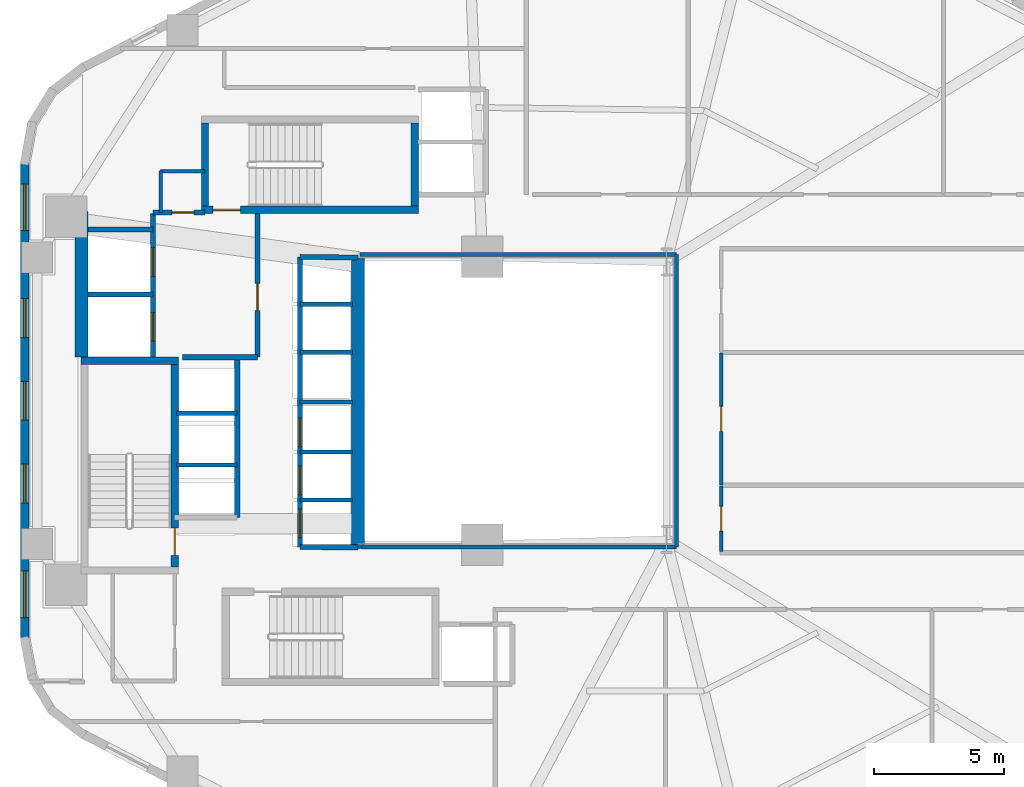
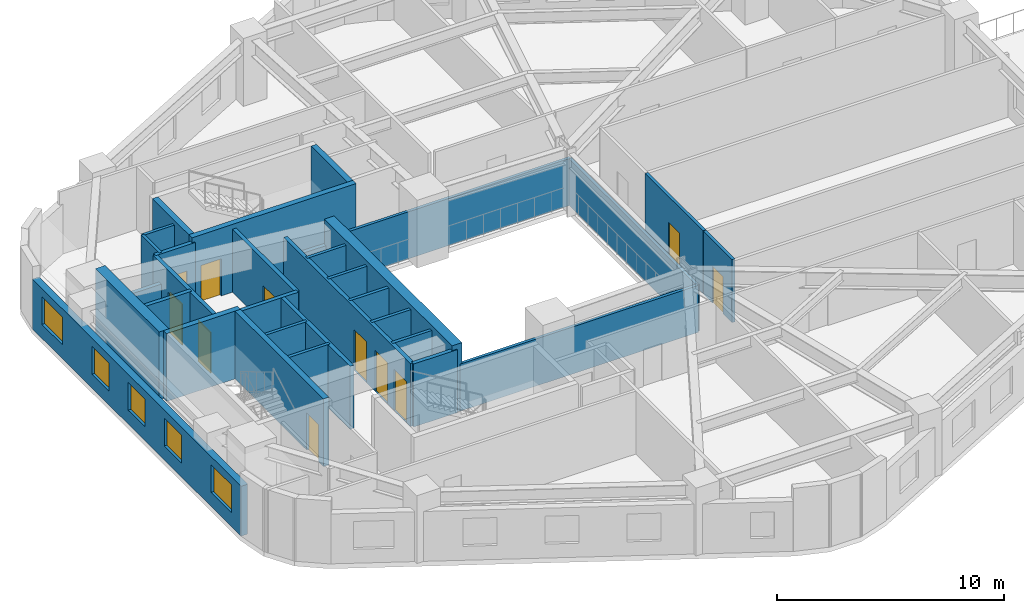
# One storey, part 3 of 8: 32 walls, 11 doors, 5 windows, 16 openings.
"""IFC4 building model written with IfcOpenShell, lengths in metres."""

from ifc_helpers import new_model, si_unit, direction, frame, frame_2d, origin, place, context, subcontext, project, spatial, rectangle, extrude, material, layer, layer_set, type_object, element, fill, save


model = new_model("IFC4")

# Units and contexts
model_context = context("Model", 3, precision=1e-05, world=origin(), true_north=direction((0.0, 1.0)))
body_context = subcontext(model_context, "Body", "Model", "MODEL_VIEW")
ifc_project = project(units=[si_unit("LENGTHUNIT", "METRE"), si_unit("AREAUNIT", "SQUARE_METRE"), si_unit("VOLUMEUNIT", "CUBIC_METRE"), si_unit("PLANEANGLEUNIT", "RADIAN"), si_unit("MASSUNIT", "GRAM", prefix="KILO"), si_unit("THERMODYNAMICTEMPERATUREUNIT", "KELVIN"), si_unit("POWERUNIT", "WATT")], contexts=[model_context])

# Site, building, storey
site_placement = place(None, origin())
site = spatial("IfcSite", under=ifc_project, at=site_placement, CompositionType="ELEMENT")
building_placement = place(site_placement, origin())
building = spatial("IfcBuilding", under=site, at=building_placement, Name="Skarre Station Tower", CompositionType="ELEMENT")
storey_placement = place(building_placement, frame((0.0, 0.0, 63.5)))
storey = spatial("IfcBuildingStorey", under=building, at=storey_placement, Name="L16", CompositionType="ELEMENT", Elevation=63.5)

# Walls
ifc_material_1 = material(Name="Acoustic Steel-Stud Gypsum Partition", Category="steel")
ifc_layer_1 = layer(ifc_material_1, 0.14990234375, Name="Acoustic Steel-Stud Gypsum Partition")
ifc_layer_set_1 = layer_set([ifc_layer_1], Name="Acoustic Steel-Stud Gypsum Partition")
wall_type_1 = type_object("IfcWallType", Name="Fire-Rated Corridor Acoustic Partition 150", PredefinedType="PARTITIONING", material=ifc_layer_set_1)
wall_1_placement = place(storey_placement, frame((19.949951171875, 32.85009765625, 0.0), z_axis=(0.0, 0.0, 1.0), x_axis=(0.0, -1.0, 0.0)))
element("IfcWall", 1, at=wall_1_placement, inside=storey, type_object=wall_type_1, Name="L16 Interior Partition WL-PT-L16-CNW-W", PredefinedType="PARTITIONING", context=body_context, shape_type="SweptSolid", body=[
    extrude(rectangle(XDim=1.590087890625, YDim=0.14990234375, at=frame_2d((0.794921875, 0.0))), origin(), (0.0, 0.0, 1.0), 3.389892578125),
])
wall_2_placement = place(storey_placement, frame((21.659912109375, 32.85009765625, 0.0), z_axis=(0.0, 0.0, 1.0), x_axis=(-1.0, 0.0, 0.0)))
element("IfcWall", 2, at=wall_2_placement, inside=storey, type_object=wall_type_1, Name="L16 Interior Partition WL-PT-L16-CNW-N1", PredefinedType="PARTITIONING", context=body_context, shape_type="SweptSolid", body=[
    extrude(rectangle(XDim=1.7099609375, YDim=0.14990234375, at=frame_2d((0.85498046875, 0.0))), origin(), (0.0, 0.0, 1.0), 3.389892578125),
])
wall_3_placement = place(storey_placement, frame((27.699951171875, 18.360107421875, 0.0), z_axis=(0.0, 0.0, 1.0), x_axis=(1.0, 0.0, 0.0)))
element("IfcWall", 3, at=wall_3_placement, inside=storey, type_object=wall_type_1, Name="L16 Interior Partition WL-PT-L16-ATRW-S", PredefinedType="PARTITIONING", context=body_context, shape_type="SweptSolid", body=[
    extrude(rectangle(XDim=12.14013671875, YDim=0.14990234375, at=frame_2d((6.070068359375, 0.0))), origin(), (0.0, 0.0, 1.0), 2.531005859375),
])
wall_4_placement = place(storey_placement, frame((39.840087890625, 29.639892578125, 0.0), z_axis=(0.0, 0.0, 1.0), x_axis=(-1.0, 0.0, 0.0)))
element("IfcWall", 4, at=wall_4_placement, inside=storey, type_object=wall_type_1, Name="L16 Interior Partition WL-PT-L16-ATRW-N", PredefinedType="PARTITIONING", context=body_context, shape_type="SweptSolid", body=[
    extrude(rectangle(XDim=12.2001953125, YDim=0.14990234375, at=frame_2d((6.10009765625, 0.0))), origin(), (0.0, 0.0, 1.0), 2.531005859375),
])
wall_5_placement = place(storey_placement, frame((39.840087890625, 18.360107421875, 0.0), z_axis=(0.0, 0.0, 1.0), x_axis=(0.0, 1.0, 0.0)))
element("IfcWall", 5, at=wall_5_placement, inside=storey, type_object=wall_type_1, Name="L16 Interior Partition WL-PT-L16-ATRW-E", PredefinedType="PARTITIONING", context=body_context, shape_type="SweptSolid", body=[
    extrude(rectangle(XDim=11.27978515625, YDim=0.14990234375, at=frame_2d((5.639892578125, 0.0))), origin(), (0.0, 0.0, 1.0), 2.512939453125),
])

# Wall, opening, door
wall_6_placement = place(storey_placement, frame((41.56005859375, 18.179931640625, 0.0), z_axis=(0.0, 0.0, 1.0), x_axis=(0.0, 1.0, 0.0)))
wall_6 = element("IfcWall", 6, at=wall_6_placement, inside=storey, type_object=wall_type_1, Name="L16 Interior Partition WL-PT-L16-EW1-CW", PredefinedType="PARTITIONING", context=body_context, shape_type="SweptSolid", body=[
    extrude(rectangle(XDim=2.54296875, YDim=0.14990234375, at=frame_2d((1.271484375, 0.0))), origin(), (0.0, 0.0, 1.0), 3.389892578125),
])
opening_1_placement = place(wall_6_placement, frame((0.7919921875, 0.0, 0.0)))
opening_1 = element("IfcOpeningElement", 7, at=opening_1_placement, cuts=wall_6, Name="Opening DR-FD60", PredefinedType="OPENING", context=body_context, shape_type="SweptSolid", body=[
    extrude(rectangle(XDim=0.9599609375, YDim=2.0, at=frame_2d((0.47998046875, 1.0))), frame((0.0, 0.0849609375, 0.0), z_axis=(0.0, -1.0, 0.0), x_axis=(1.0, 0.0, 0.0)), (0.0, 0.0, 1.0), 0.169921875),
])
ifc_material_2 = material(Name="Nordic White-Oak Veneer Solid-Core Fire Leaf", Category="wood")
door_type_1 = type_object("IfcDoorType", Name="Corridor Suite Entry Fire Door FD60 960x2150", OperationType="SINGLE_SWING_LEFT", PredefinedType="DOOR", material=ifc_material_2)
door_1_placement = place(opening_1_placement, origin())
door_1 = element("IfcDoor", 8, at=door_1_placement, inside=storey, type_object=door_type_1, Name="L16 EW1 Entry Door", OperationType="SINGLE_SWING_LEFT", OverallHeight=2.0, OverallWidth=0.9599609375, PredefinedType="DOOR", context=body_context, shape_type="SweptSolid", body=[
    extrude(rectangle(XDim=0.9599609375, YDim=2.0, at=frame_2d((0.47998046875, 1.0))), frame((0.0, 0.02490234375, 0.0), z_axis=(0.0, -1.0, 0.0), x_axis=(1.0, 0.0, 0.0)), (0.0, 0.0, 1.0), 0.050048828125),
])
fill(opening_1, door_1)

wall_7_placement = place(storey_placement, frame((41.56005859375, 20.759033203125, 0.0), z_axis=(0.0, 0.0, 1.0), x_axis=(0.0, 1.0, 0.0)))
wall_7 = element("IfcWall", 9, at=wall_7_placement, inside=storey, type_object=wall_type_1, Name="L16 Interior Partition WL-PT-L16-EW2-CW", PredefinedType="PARTITIONING", context=body_context, shape_type="SweptSolid", body=[
    extrude(rectangle(XDim=5.0849609375, YDim=0.14990234375, at=frame_2d((2.54248046875, 0.0))), origin(), (0.0, 0.0, 1.0), 3.389892578125),
])
opening_2_placement = place(wall_7_placement, frame((2.06298828125, 0.0, 0.0)))
opening_2 = element("IfcOpeningElement", 10, at=opening_2_placement, cuts=wall_7, Name="Opening DR-FD60", PredefinedType="OPENING", context=body_context, shape_type="SweptSolid", body=[
    extrude(rectangle(XDim=0.9599609375, YDim=2.0, at=frame_2d((0.47998046875, 1.0))), frame((0.0, 0.0849609375, 0.0), z_axis=(0.0, -1.0, 0.0), x_axis=(1.0, 0.0, 0.0)), (0.0, 0.0, 1.0), 0.169921875),
])
door_2_placement = place(opening_2_placement, origin())
door_2 = element("IfcDoor", 11, at=door_2_placement, inside=storey, type_object=door_type_1, Name="L16 EW2 Entry Door", OperationType="SINGLE_SWING_LEFT", OverallHeight=2.0, OverallWidth=0.9599609375, PredefinedType="DOOR", context=body_context, shape_type="SweptSolid", body=[
    extrude(rectangle(XDim=0.9599609375, YDim=2.0, at=frame_2d((0.47998046875, 1.0))), frame((0.0, 0.02490234375, 0.0), z_axis=(0.0, -1.0, 0.0), x_axis=(1.0, 0.0, 0.0)), (0.0, 0.0, 1.0), 0.050048828125),
])
fill(opening_2, door_2)

# Wall, openings, windows
ifc_material_3 = material(Name="Precast concrete C45/55", Category="concrete")
ifc_layer_2 = layer(ifc_material_3, 0.340087890625, Name="Precast concrete C45/55")
ifc_layer_set_2 = layer_set([ifc_layer_2], Name="Precast concrete C45/55")
wall_type_2 = type_object("IfcWallType", Name="Nordic Honed Precast Facet Wall 340", PredefinedType="STANDARD", material=ifc_layer_set_2)
wall_8_placement = place(storey_placement, frame((14.70703125, 14.798095703125, 0.0), z_axis=(0.0, 0.0, 1.0), x_axis=(0.0, 1.0, 0.0)))
wall_8 = element("IfcWall", 12, at=wall_8_placement, inside=storey, type_object=wall_type_2, Name="L16 Facet 2 Nordic Precast Masonry Wall", PredefinedType="STANDARD", context=body_context, shape_type="SweptSolid", body=[
    extrude(rectangle(XDim=18.40380859375, YDim=0.340087890625, at=frame_2d((9.201904296875, 0.0))), origin(), (0.0, 0.0, 1.0), 2.68408203125),
])
opening_3_placement = place(wall_8_placement, frame((0.844970703125, 0.0, 0.75)))
opening_3 = element("IfcOpeningElement", 13, at=opening_3_placement, cuts=wall_8, Name="Opening WN-Z1A", PredefinedType="OPENING", context=body_context, shape_type="SweptSolid", body=[
    extrude(rectangle(XDim=1.800048828125, YDim=1.5, at=frame_2d((0.89990234375, 0.75))), frame((0.0, 0.179931640625, 0.0), z_axis=(0.0, -1.0, 0.0), x_axis=(1.0, 0.0, 0.0)), (0.0, 0.0, 1.0), 0.360107421875),
])
opening_4_placement = place(wall_8_placement, frame((5.264892578125, 0.0, 0.75)))
opening_4 = element("IfcOpeningElement", 14, at=opening_4_placement, cuts=wall_8, Name="Opening WN-Z1B", PredefinedType="OPENING", context=body_context, shape_type="SweptSolid", body=[
    extrude(rectangle(XDim=1.5, YDim=1.5, at=frame_2d((0.75, 0.75))), frame((0.0, 0.179931640625, 0.0), z_axis=(0.0, -1.0, 0.0), x_axis=(1.0, 0.0, 0.0)), (0.0, 0.0, 1.0), 0.360107421875),
])
opening_5_placement = place(wall_8_placement, frame((8.451904296875, 0.0, 0.75)))
opening_5 = element("IfcOpeningElement", 15, at=opening_5_placement, cuts=wall_8, Name="Opening WN-Z1B", PredefinedType="OPENING", context=body_context, shape_type="SweptSolid", body=[
    extrude(rectangle(XDim=1.5, YDim=1.5, at=frame_2d((0.75, 0.75))), frame((0.0, 0.179931640625, 0.0), z_axis=(0.0, -1.0, 0.0), x_axis=(1.0, 0.0, 0.0)), (0.0, 0.0, 1.0), 0.360107421875),
])
opening_6_placement = place(wall_8_placement, frame((11.638916015625, 0.0, 0.75)))
opening_6 = element("IfcOpeningElement", 16, at=opening_6_placement, cuts=wall_8, Name="Opening WN-Z1B", PredefinedType="OPENING", context=body_context, shape_type="SweptSolid", body=[
    extrude(rectangle(XDim=1.5, YDim=1.5, at=frame_2d((0.75, 0.75))), frame((0.0, 0.179931640625, 0.0), z_axis=(0.0, -1.0, 0.0), x_axis=(1.0, 0.0, 0.0)), (0.0, 0.0, 1.0), 0.360107421875),
])
opening_7_placement = place(wall_8_placement, frame((15.758056640625, 0.0, 0.75)))
opening_7 = element("IfcOpeningElement", 17, at=opening_7_placement, cuts=wall_8, Name="Opening WN-Z1A", PredefinedType="OPENING", context=body_context, shape_type="SweptSolid", body=[
    extrude(rectangle(XDim=1.800048828125, YDim=1.5, at=frame_2d((0.89990234375, 0.75))), frame((0.0, 0.179931640625, 0.0), z_axis=(0.0, -1.0, 0.0), x_axis=(1.0, 0.0, 0.0)), (0.0, 0.0, 1.0), 0.360107421875),
])
ifc_material_4 = material(Name="Low-Iron Triple Glazing with Bronze Anodized Frame", Category="glass")
window_type_1 = type_object("IfcWindowType", Name="Nordic Punched Triple-Glazed Window 1500x1500", PartitioningType="SINGLE_PANEL", PredefinedType="WINDOW", material=ifc_material_4)
window_1_placement = place(opening_4_placement, origin())
window_1 = element("IfcWindow", 18, at=window_1_placement, inside=storey, type_object=window_type_1, Name="L16 Facade Window WL-FAC-L16-F2-2", OverallHeight=1.5, OverallWidth=1.5, PartitioningType="SINGLE_PANEL", PredefinedType="WINDOW", context=body_context, shape_type="SweptSolid", body=[
    extrude(rectangle(XDim=1.5, YDim=1.5, at=frame_2d((0.75, 0.75))), frame((0.0, 0.030029296875, 0.0), z_axis=(0.0, -1.0, 0.0), x_axis=(1.0, 0.0, 0.0)), (0.0, 0.0, 1.0), 0.06005859375),
])
fill(opening_4, window_1)
window_2_placement = place(opening_5_placement, origin())
window_2 = element("IfcWindow", 19, at=window_2_placement, inside=storey, type_object=window_type_1, Name="L16 Facade Window WL-FAC-L16-F2-3", OverallHeight=1.5, OverallWidth=1.5, PartitioningType="SINGLE_PANEL", PredefinedType="WINDOW", context=body_context, shape_type="SweptSolid", body=[
    extrude(rectangle(XDim=1.5, YDim=1.5, at=frame_2d((0.75, 0.75))), frame((0.0, 0.030029296875, 0.0), z_axis=(0.0, -1.0, 0.0), x_axis=(1.0, 0.0, 0.0)), (0.0, 0.0, 1.0), 0.06005859375),
])
fill(opening_5, window_2)
window_3_placement = place(opening_6_placement, origin())
window_3 = element("IfcWindow", 20, at=window_3_placement, inside=storey, type_object=window_type_1, Name="L16 Facade Window WL-FAC-L16-F2-4", OverallHeight=1.5, OverallWidth=1.5, PartitioningType="SINGLE_PANEL", PredefinedType="WINDOW", context=body_context, shape_type="SweptSolid", body=[
    extrude(rectangle(XDim=1.5, YDim=1.5, at=frame_2d((0.75, 0.75))), frame((0.0, 0.030029296875, 0.0), z_axis=(0.0, -1.0, 0.0), x_axis=(1.0, 0.0, 0.0)), (0.0, 0.0, 1.0), 0.06005859375),
])
fill(opening_6, window_3)
window_type_2 = type_object("IfcWindowType", Name="Nordic Punched Triple-Glazed Window 1800x1500", PartitioningType="SINGLE_PANEL", PredefinedType="WINDOW", material=ifc_material_4)
window_4_placement = place(opening_3_placement, origin())
window_4 = element("IfcWindow", 21, at=window_4_placement, inside=storey, type_object=window_type_2, Name="L16 Facade Window WL-FAC-L16-F2-1", OverallHeight=1.5, OverallWidth=1.800048828125, PartitioningType="SINGLE_PANEL", PredefinedType="WINDOW", context=body_context, shape_type="SweptSolid", body=[
    extrude(rectangle(XDim=1.800048828125, YDim=1.5, at=frame_2d((0.89990234375, 0.75))), frame((0.0, 0.030029296875, 0.0), z_axis=(0.0, -1.0, 0.0), x_axis=(1.0, 0.0, 0.0)), (0.0, 0.0, 1.0), 0.06005859375),
])
fill(opening_3, window_4)
window_5_placement = place(opening_7_placement, origin())
window_5 = element("IfcWindow", 22, at=window_5_placement, inside=storey, type_object=window_type_2, Name="L16 Facade Window WL-FAC-L16-F2-5", OverallHeight=1.5, OverallWidth=1.800048828125, PartitioningType="SINGLE_PANEL", PredefinedType="WINDOW", context=body_context, shape_type="SweptSolid", body=[
    extrude(rectangle(XDim=1.800048828125, YDim=1.5, at=frame_2d((0.89990234375, 0.75))), frame((0.0, 0.030029296875, 0.0), z_axis=(0.0, -1.0, 0.0), x_axis=(1.0, 0.0, 0.0)), (0.0, 0.0, 1.0), 0.06005859375),
])
fill(opening_7, window_5)

# Wall
ifc_material_5 = material(Name="Concrete C50/60", Category="concrete")
ifc_layer_3 = layer(ifc_material_5, 0.280029296875, Name="Concrete C50/60")
ifc_layer_set_3 = layer_set([ifc_layer_3], Name="Concrete C50/60")
wall_type_3 = type_object("IfcWallType", Name="RC Core Shear Wall 280", PredefinedType="SHEAR", material=ifc_layer_set_3)
wall_9_placement = place(storey_placement, frame((20.6298828125, 25.5400390625, 0.0), z_axis=(0.0, 0.0, 1.0), x_axis=(-1.0, 0.0, 0.0)))
element("IfcWall", 23, at=wall_9_placement, inside=storey, type_object=wall_type_3, Name="L16 Stair ST-1 North Shear Wall", PredefinedType="SHEAR", context=body_context, shape_type="SweptSolid", body=[
    extrude(rectangle(XDim=3.759765625, YDim=0.280029296875, at=frame_2d((1.8798828125, 0.0))), origin(), (0.0, 0.0, 1.0), 3.64990234375),
])

# Wall, opening, door
wall_10_placement = place(storey_placement, frame((20.489990234375, 17.60009765625, 0.0), z_axis=(0.0, 0.0, 1.0), x_axis=(0.0, 1.0, 0.0)))
wall_10 = element("IfcWall", 24, at=wall_10_placement, inside=storey, type_object=wall_type_3, Name="L16 Stair ST-1 East Shear Wall", PredefinedType="SHEAR", context=body_context, shape_type="SweptSolid", body=[
    extrude(rectangle(XDim=7.7998046875, YDim=0.280029296875, at=frame_2d((3.89990234375, 0.0))), origin(), (0.0, 0.0, 1.0), 3.64990234375),
])
opening_8_placement = place(wall_10_placement, frame((0.43994140625, 0.0, 0.0)))
opening_8 = element("IfcOpeningElement", 25, at=opening_8_placement, cuts=wall_10, Name="Opening DR-FD90", PredefinedType="OPENING", context=body_context, shape_type="SweptSolid", body=[
    extrude(rectangle(XDim=1.050048828125, YDim=2.0, at=frame_2d((0.52490234375, 1.0))), frame((0.0, 0.14990234375, 0.0), z_axis=(0.0, -1.0, 0.0), x_axis=(1.0, 0.0, 0.0)), (0.0, 0.0, 1.0), 0.300048828125),
])
ifc_material_6 = material(Name="Fire-Rated Insulated Steel Frame & Timber Core Leaf", Category="steel")
door_type_2 = type_object("IfcDoorType", Name="Stair & FSAE Lobby Fire Door FD90 1050x2150", OperationType="SINGLE_SWING_RIGHT", PredefinedType="DOOR", material=ifc_material_6)
door_3_placement = place(opening_8_placement, origin())
door_3 = element("IfcDoor", 26, at=door_3_placement, inside=storey, type_object=door_type_2, Name="L16 Stair ST-1 Exit Door", OperationType="SINGLE_SWING_RIGHT", OverallHeight=2.0, OverallWidth=1.050048828125, PredefinedType="DOOR", context=body_context, shape_type="SweptSolid", body=[
    extrude(rectangle(XDim=1.050048828125, YDim=2.0, at=frame_2d((0.52490234375, 1.0))), frame((0.0, 0.02490234375, 0.0), z_axis=(0.0, -1.0, 0.0), x_axis=(1.0, 0.0, 0.0)), (0.0, 0.0, 1.0), 0.050048828125),
])
fill(opening_8, door_3)

wall_11_placement = place(storey_placement, frame((21.52001953125, 31.360107421875, 0.0), z_axis=(0.0, 0.0, 1.0), x_axis=(1.0, 0.0, 0.0)))
wall_11 = element("IfcWall", 27, at=wall_11_placement, inside=storey, type_object=wall_type_3, Name="L16 Stair ST-3 South Shear Wall", PredefinedType="SHEAR", context=body_context, shape_type="SweptSolid", body=[
    extrude(rectangle(XDim=8.35986328125, YDim=0.280029296875, at=frame_2d((4.179931640625, 0.0))), origin(), (0.0, 0.0, 1.0), 3.64990234375),
])
opening_9_placement = place(wall_11_placement, frame((0.449951171875, 0.0, 0.0)))
opening_9 = element("IfcOpeningElement", 28, at=opening_9_placement, cuts=wall_11, Name="Opening DR-FD90", PredefinedType="OPENING", context=body_context, shape_type="SweptSolid", body=[
    extrude(rectangle(XDim=1.050048828125, YDim=2.0, at=frame_2d((0.52490234375, 1.0))), frame((0.0, 0.14990234375, 0.0), z_axis=(0.0, -1.0, 0.0), x_axis=(1.0, 0.0, 0.0)), (0.0, 0.0, 1.0), 0.300048828125),
])
door_4_placement = place(opening_9_placement, origin())
door_4 = element("IfcDoor", 29, at=door_4_placement, inside=storey, type_object=door_type_2, Name="L16 Stair ST-3 & FSAE Lobby Direct Exit Door", OperationType="SINGLE_SWING_LEFT", OverallHeight=2.0, OverallWidth=1.050048828125, PredefinedType="DOOR", context=body_context, shape_type="SweptSolid", body=[
    extrude(rectangle(XDim=1.050048828125, YDim=2.0, at=frame_2d((0.52490234375, 1.0))), frame((0.0, 0.02490234375, 0.0), z_axis=(0.0, -1.0, 0.0), x_axis=(1.0, 0.0, 0.0)), (0.0, 0.0, 1.0), 0.050048828125),
])
fill(opening_9, door_4)

# Walls
for number, where, z_axis, x_axis, name in (
    (30, (21.659912109375, 34.699951171875, 0.0), (0.0, 0.0, 1.0), (0.0, -1.0, 0.0), "L16 Stair ST-3 West Shear Wall"),
    (31, (29.739990234375, 31.5, 0.0), (0.0, 0.0, 1.0), (0.0, 1.0, 0.0), "L16 Stair ST-3 East Shear Wall"),
):
    element("IfcWall", number, at=place(storey_placement, frame(where, z_axis=z_axis, x_axis=x_axis)), inside=storey, type_object=wall_type_3, Name=name, PredefinedType="SHEAR", context=body_context, shape_type="SweptSolid", body=[
        extrude(rectangle(XDim=3.199951171875, YDim=0.280029296875, at=frame_2d((1.60009765625, 0.0))), origin(), (0.0, 0.0, 1.0), 3.64990234375),
    ])
ifc_material_7 = material(Name="Concrete C70/85", Category="concrete")
ifc_layer_4 = layer(ifc_material_7, 0.5, Name="Concrete C70/85")
ifc_layer_set_4 = layer_set([ifc_layer_4], Name="Concrete C70/85")
wall_type_4 = type_object("IfcWallType", Name="RC Core Shear Wall 500", PredefinedType="SHEAR", material=ifc_layer_set_4)
wall_12_placement = place(storey_placement, frame((16.89990234375, 25.679931640625, 0.0), z_axis=(0.0, 0.0, 1.0), x_axis=(0.0, 1.0, 0.0)))
element("IfcWall", 32, at=wall_12_placement, inside=storey, type_object=wall_type_4, Name="L16 Core West-North Shear Wall", PredefinedType="SHEAR", context=body_context, shape_type="SweptSolid", body=[
    extrude(rectangle(XDim=5.6201171875, YDim=0.5, at=frame_2d((2.81005859375, 0.0))), origin(), (0.0, 0.0, 1.0), 3.64990234375),
])
wall_13_placement = place(storey_placement, frame((27.550048828125, 29.550048828125, 0.0), z_axis=(0.0, 0.0, 1.0), x_axis=(0.0, -1.0, 0.0)))
element("IfcWall", 33, at=wall_13_placement, inside=storey, type_object=wall_type_4, Name="L16 Core East Atrium Shear Wall", PredefinedType="SHEAR", context=body_context, shape_type="SweptSolid", body=[
    extrude(rectangle(XDim=11.25, YDim=0.5, at=frame_2d((5.625, 0.0))), origin(), (0.0, 0.0, 1.0), 3.64990234375),
])

# Wall, openings, doors
ifc_material_8 = material(Name="Gypsum Concrete Shaft Assembly C30/37", Category="concrete")
ifc_layer_5 = layer(ifc_material_8, 0.199951171875, Name="Gypsum Concrete Shaft Assembly C30/37")
ifc_layer_set_5 = layer_set([ifc_layer_5], Name="Gypsum Concrete Shaft Assembly C30/37")
wall_type_5 = type_object("IfcWallType", Name="Shaft & Core Fire Partition 200", PredefinedType="PARTITIONING", material=ifc_layer_set_5)
wall_14_placement = place(storey_placement, frame((19.64990234375, 25.679931640625, 0.0), z_axis=(0.0, 0.0, 1.0), x_axis=(0.0, 1.0, 0.0)))
wall_14 = element("IfcWall", 34, at=wall_14_placement, inside=storey, type_object=wall_type_5, Name="L16 Interior Partition WL-PT-L16-FSAE-W", PredefinedType="PARTITIONING", context=body_context, shape_type="SweptSolid", body=[
    extrude(rectangle(XDim=5.5400390625, YDim=0.199951171875, at=frame_2d((2.77001953125, 0.0))), origin(), (0.0, 0.0, 1.0), 3.389892578125),
])
opening_10_placement = place(wall_14_placement, frame((0.6201171875, 0.0, 0.0)))
opening_10 = element("IfcOpeningElement", 35, at=opening_10_placement, cuts=wall_14, Name="Opening LD-FF1", PredefinedType="OPENING", context=body_context, shape_type="SweptSolid", body=[
    extrude(rectangle(XDim=1.10009765625, YDim=2.199951171875, at=frame_2d((0.550048828125, 1.10009765625))), frame((0.0, 0.10986328125, 0.0), z_axis=(0.0, -1.0, 0.0), x_axis=(1.0, 0.0, 0.0)), (0.0, 0.0, 1.0), 0.219970703125),
])
opening_11_placement = place(wall_14_placement, frame((3.1201171875, 0.0, 0.0)))
opening_11 = element("IfcOpeningElement", 36, at=opening_11_placement, cuts=wall_14, Name="Opening LD-FF2", PredefinedType="OPENING", context=body_context, shape_type="SweptSolid", body=[
    extrude(rectangle(XDim=1.10009765625, YDim=2.199951171875, at=frame_2d((0.550048828125, 1.10009765625))), frame((0.0, 0.10986328125, 0.0), z_axis=(0.0, -1.0, 0.0), x_axis=(1.0, 0.0, 0.0)), (0.0, 0.0, 1.0), 0.219970703125),
])
ifc_material_9 = material(Name="Fire-Rated Stainless Steel Grade 316L Sliding Leaves", Category="steel")
door_type_3 = type_object("IfcDoorType", Name="Fire Service Access Elevator Sliding Landing Door 1100x2200", OperationType="SLIDING_TO_LEFT", PredefinedType="DOOR", material=ifc_material_9)
door_5_placement = place(opening_10_placement, origin())
door_5 = element("IfcDoor", 37, at=door_5_placement, inside=storey, type_object=door_type_3, Name="L16 Firefighting Lift LF-FF1 Landing Door", OperationType="SLIDING_TO_LEFT", OverallHeight=2.199951171875, OverallWidth=1.10009765625, PredefinedType="DOOR", context=body_context, shape_type="SweptSolid", body=[
    extrude(rectangle(XDim=1.10009765625, YDim=2.199951171875, at=frame_2d((0.550048828125, 1.10009765625))), frame((0.0, 0.02490234375, 0.0), z_axis=(0.0, -1.0, 0.0), x_axis=(1.0, 0.0, 0.0)), (0.0, 0.0, 1.0), 0.050048828125),
])
fill(opening_10, door_5)
door_6_placement = place(opening_11_placement, origin())
door_6 = element("IfcDoor", 38, at=door_6_placement, inside=storey, type_object=door_type_3, Name="L16 Firefighting Lift LF-FF2 Landing Door", OperationType="SLIDING_TO_LEFT", OverallHeight=2.199951171875, OverallWidth=1.10009765625, PredefinedType="DOOR", context=body_context, shape_type="SweptSolid", body=[
    extrude(rectangle(XDim=1.10009765625, YDim=2.199951171875, at=frame_2d((0.550048828125, 1.10009765625))), frame((0.0, 0.02490234375, 0.0), z_axis=(0.0, -1.0, 0.0), x_axis=(1.0, 0.0, 0.0)), (0.0, 0.0, 1.0), 0.050048828125),
])
fill(opening_11, door_6)

# Wall
wall_15_placement = place(storey_placement, frame((20.79296875, 25.679931640625, 0.0), z_axis=(0.0, 0.0, 1.0), x_axis=(1.0, 0.0, 0.0)))
element("IfcWall", 39, at=wall_15_placement, inside=storey, type_object=wall_type_5, Name="L16 Interior Partition WL-PT-L16-FSAE-S", PredefinedType="PARTITIONING", context=body_context, shape_type="SweptSolid", body=[
    extrude(rectangle(XDim=2.886962890625, YDim=0.199951171875, at=frame_2d((1.443359375, 0.0))), origin(), (0.0, 0.0, 1.0), 3.389892578125),
])

# Wall, opening, door
wall_16_placement = place(storey_placement, frame((23.679931640625, 25.679931640625, 0.0), z_axis=(0.0, 0.0, 1.0), x_axis=(0.0, 1.0, 0.0)))
wall_16 = element("IfcWall", 40, at=wall_16_placement, inside=storey, type_object=wall_type_5, Name="L16 Interior Partition WL-PT-L16-FSAE-E", PredefinedType="PARTITIONING", context=body_context, shape_type="SweptSolid", body=[
    extrude(rectangle(XDim=5.5400390625, YDim=0.199951171875, at=frame_2d((2.77001953125, 0.0))), origin(), (0.0, 0.0, 1.0), 3.389892578125),
])
opening_12_placement = place(wall_16_placement, frame((1.800048828125, 0.0, 0.0)))
opening_12 = element("IfcOpeningElement", 41, at=opening_12_placement, cuts=wall_16, Name="Opening DR-FD90", PredefinedType="OPENING", context=body_context, shape_type="SweptSolid", body=[
    extrude(rectangle(XDim=1.050048828125, YDim=2.0, at=frame_2d((0.52490234375, 1.0))), frame((0.0, 0.10986328125, 0.0), z_axis=(0.0, -1.0, 0.0), x_axis=(1.0, 0.0, 0.0)), (0.0, 0.0, 1.0), 0.219970703125),
])
door_7_placement = place(opening_12_placement, origin())
door_7 = element("IfcDoor", 42, at=door_7_placement, inside=storey, type_object=door_type_2, Name="L16 FSAE Lobby Fire Door", OperationType="SINGLE_SWING_RIGHT", OverallHeight=2.0, OverallWidth=1.050048828125, PredefinedType="DOOR", context=body_context, shape_type="SweptSolid", body=[
    extrude(rectangle(XDim=1.050048828125, YDim=2.0, at=frame_2d((0.52490234375, 1.0))), frame((0.0, 0.02490234375, 0.0), z_axis=(0.0, -1.0, 0.0), x_axis=(1.0, 0.0, 0.0)), (0.0, 0.0, 1.0), 0.050048828125),
])
fill(opening_12, door_7)

wall_17_placement = place(storey_placement, frame((21.659912109375, 31.260009765625, 0.0), z_axis=(0.0, 0.0, 1.0), x_axis=(-1.0, 0.0, 0.0)))
wall_17 = element("IfcWall", 43, at=wall_17_placement, inside=storey, type_object=wall_type_5, Name="L16 Interior Partition WL-PT-L16-FSAE-N", PredefinedType="PARTITIONING", context=body_context, shape_type="SweptSolid", body=[
    extrude(rectangle(XDim=2.010009765625, YDim=0.199951171875, at=frame_2d((1.0048828125, 0.0))), origin(), (0.0, 0.0, 1.0), 3.389892578125),
])
opening_13_placement = place(wall_17_placement, frame((0.419921875, 0.0, 0.0)))
opening_13 = element("IfcOpeningElement", 44, at=opening_13_placement, cuts=wall_17, Name="Opening DR-SVC86", PredefinedType="OPENING", context=body_context, shape_type="SweptSolid", body=[
    extrude(rectangle(XDim=0.860107421875, YDim=2.0, at=frame_2d((0.43017578125, 1.0))), frame((0.0, 0.10986328125, 0.0), z_axis=(0.0, -1.0, 0.0), x_axis=(1.0, 0.0, 0.0)), (0.0, 0.0, 1.0), 0.219970703125),
])
ifc_material_10 = material(Name="Powder-Coated Hollow-Metal Acoustic Fire Leaf", Category="steel")
door_type_4 = type_object("IfcDoorType", Name="Compact Riser Fire Door FD60 860x2100", OperationType="SINGLE_SWING_LEFT", PredefinedType="DOOR", material=ifc_material_10)
door_8_placement = place(opening_13_placement, origin())
door_8 = element("IfcDoor", 45, at=door_8_placement, inside=storey, type_object=door_type_4, Name="L16 Core Service Room Lobby Door", OperationType="SINGLE_SWING_LEFT", OverallHeight=2.0, OverallWidth=0.860107421875, PredefinedType="DOOR", context=body_context, shape_type="SweptSolid", body=[
    extrude(rectangle(XDim=0.860107421875, YDim=2.0, at=frame_2d((0.43017578125, 1.0))), frame((0.0, 0.02490234375, 0.0), z_axis=(0.0, -1.0, 0.0), x_axis=(1.0, 0.0, 0.0)), (0.0, 0.0, 1.0), 0.050048828125),
])
fill(opening_13, door_8)

# Walls
wall_18_placement = place(storey_placement, frame((17.14990234375, 28.10009765625, 0.0), z_axis=(0.0, 0.0, 1.0), x_axis=(1.0, 0.0, 0.0)))
element("IfcWall", 46, at=wall_18_placement, inside=storey, type_object=wall_type_5, Name="L16 Interior Partition WL-PT-L16-FF-DIV", PredefinedType="PARTITIONING", context=body_context, shape_type="SweptSolid", body=[
    extrude(rectangle(XDim=2.5, YDim=0.199951171875, at=frame_2d((1.25, 0.0))), origin(), (0.0, 0.0, 1.0), 3.389892578125),
])
wall_19_placement = place(storey_placement, frame((19.64990234375, 30.60009765625, 0.0), z_axis=(0.0, 0.0, 1.0), x_axis=(-1.0, 0.0, 0.0)))
element("IfcWall", 47, at=wall_19_placement, inside=storey, type_object=wall_type_5, Name="L16 Interior Partition WL-PT-L16-FF-N", PredefinedType="PARTITIONING", context=body_context, shape_type="SweptSolid", body=[
    extrude(rectangle(XDim=2.5, YDim=0.199951171875, at=frame_2d((1.25, 0.0))), origin(), (0.0, 0.0, 1.0), 2.2900390625),
])
wall_20_placement = place(storey_placement, frame((22.89990234375, 19.5, 0.0), z_axis=(0.0, 0.0, 1.0), x_axis=(0.0, 1.0, 0.0)))
element("IfcWall", 48, at=wall_20_placement, inside=storey, type_object=wall_type_5, Name="L16 Interior Partition WL-PT-L16-B3-E", PredefinedType="PARTITIONING", context=body_context, shape_type="SweptSolid", body=[
    extrude(rectangle(XDim=6.0849609375, YDim=0.199951171875, at=frame_2d((3.04248046875, 0.0))), origin(), (0.0, 0.0, 1.0), 3.389892578125),
])
for number, where, z_axis, x_axis, name in (
    (49, (20.550048828125, 21.52001953125, 0.0), (0.0, 0.0, 1.0), (1.0, 0.0, 0.0), "L16 Interior Partition WL-PT-L16-B3-D1"),
    (50, (20.550048828125, 23.52001953125, 0.0), (0.0, 0.0, 1.0), (1.0, 0.0, 0.0), "L16 Interior Partition WL-PT-L16-B3-D2"),
):
    element("IfcWall", number, at=place(storey_placement, frame(where, z_axis=z_axis, x_axis=x_axis)), inside=storey, type_object=wall_type_5, Name=name, PredefinedType="PARTITIONING", context=body_context, shape_type="SweptSolid", body=[
        extrude(rectangle(XDim=2.349853515625, YDim=0.159912109375, at=frame_2d((1.1748046875, 0.0))), origin(), (0.0, 0.0, 1.0), 3.389892578125),
    ])

# Wall, openings, doors
wall_21_placement = place(storey_placement, frame((25.320068359375, 29.550048828125, 0.0), z_axis=(0.0, 0.0, 1.0), x_axis=(0.0, -1.0, 0.0)))
wall_21 = element("IfcWall", 51, at=wall_21_placement, inside=storey, type_object=wall_type_5, Name="L16 Interior Partition WL-PT-L16-B12-W", PredefinedType="PARTITIONING", context=body_context, shape_type="SweptSolid", body=[
    extrude(rectangle(XDim=11.18994140625, YDim=0.199951171875, at=frame_2d((5.594970703125, 0.0))), origin(), (0.0, 0.0, 1.0), 3.389892578125),
])
opening_14_placement = place(wall_21_placement, frame((6.219970703125, 0.0, 0.0)))
opening_14 = element("IfcOpeningElement", 52, at=opening_14_placement, cuts=wall_21, Name="Opening LD-P3", PredefinedType="OPENING", context=body_context, shape_type="SweptSolid", body=[
    extrude(rectangle(XDim=1.10009765625, YDim=2.199951171875, at=frame_2d((0.550048828125, 1.10009765625))), frame((0.0, 0.10986328125, 0.0), z_axis=(0.0, -1.0, 0.0), x_axis=(1.0, 0.0, 0.0)), (0.0, 0.0, 1.0), 0.219970703125),
])
opening_15_placement = place(wall_21_placement, frame((8.070068359375, 0.0, 0.0)))
opening_15 = element("IfcOpeningElement", 53, at=opening_15_placement, cuts=wall_21, Name="Opening LD-P2", PredefinedType="OPENING", context=body_context, shape_type="SweptSolid", body=[
    extrude(rectangle(XDim=1.10009765625, YDim=2.199951171875, at=frame_2d((0.550048828125, 1.10009765625))), frame((0.0, 0.10986328125, 0.0), z_axis=(0.0, -1.0, 0.0), x_axis=(1.0, 0.0, 0.0)), (0.0, 0.0, 1.0), 0.219970703125),
])
opening_16_placement = place(wall_21_placement, frame((9.72998046875, 0.0, 0.0)))
opening_16 = element("IfcOpeningElement", 54, at=opening_16_placement, cuts=wall_21, Name="Opening LD-P1", PredefinedType="OPENING", context=body_context, shape_type="SweptSolid", body=[
    extrude(rectangle(XDim=1.10009765625, YDim=2.199951171875, at=frame_2d((0.550048828125, 1.10009765625))), frame((0.0, 0.10986328125, 0.0), z_axis=(0.0, -1.0, 0.0), x_axis=(1.0, 0.0, 0.0)), (0.0, 0.0, 1.0), 0.219970703125),
])
ifc_material_11 = material(Name="Brushed Bronze Stainless Steel Sliding Leaves", Category="steel")
door_type_5 = type_object("IfcDoorType", Name="Passenger Elevator Center-Parting Sliding Door 1100x2200", OperationType="SLIDING_TO_LEFT", PredefinedType="DOOR", material=ifc_material_11)
door_9_placement = place(opening_14_placement, origin())
door_9 = element("IfcDoor", 55, at=door_9_placement, inside=storey, type_object=door_type_5, Name="L16 Passenger Lift LF-P3 Landing Door", OperationType="SLIDING_TO_LEFT", OverallHeight=2.199951171875, OverallWidth=1.10009765625, PredefinedType="DOOR", context=body_context, shape_type="SweptSolid", body=[
    extrude(rectangle(XDim=1.10009765625, YDim=2.199951171875, at=frame_2d((0.550048828125, 1.10009765625))), frame((0.0, 0.02490234375, 0.0), z_axis=(0.0, -1.0, 0.0), x_axis=(1.0, 0.0, 0.0)), (0.0, 0.0, 1.0), 0.050048828125),
])
fill(opening_14, door_9)
door_10_placement = place(opening_15_placement, origin())
door_10 = element("IfcDoor", 56, at=door_10_placement, inside=storey, type_object=door_type_5, Name="L16 Passenger Lift LF-P2 Landing Door", OperationType="SLIDING_TO_LEFT", OverallHeight=2.199951171875, OverallWidth=1.10009765625, PredefinedType="DOOR", context=body_context, shape_type="SweptSolid", body=[
    extrude(rectangle(XDim=1.10009765625, YDim=2.199951171875, at=frame_2d((0.550048828125, 1.10009765625))), frame((0.0, 0.02490234375, 0.0), z_axis=(0.0, -1.0, 0.0), x_axis=(1.0, 0.0, 0.0)), (0.0, 0.0, 1.0), 0.050048828125),
])
fill(opening_15, door_10)
door_11_placement = place(opening_16_placement, origin())
door_11 = element("IfcDoor", 57, at=door_11_placement, inside=storey, type_object=door_type_5, Name="L16 Passenger Lift LF-P1 Landing Door", OperationType="SLIDING_TO_LEFT", OverallHeight=2.199951171875, OverallWidth=1.10009765625, PredefinedType="DOOR", context=body_context, shape_type="SweptSolid", body=[
    extrude(rectangle(XDim=1.10009765625, YDim=2.199951171875, at=frame_2d((0.550048828125, 1.10009765625))), frame((0.0, 0.02490234375, 0.0), z_axis=(0.0, -1.0, 0.0), x_axis=(1.0, 0.0, 0.0)), (0.0, 0.0, 1.0), 0.050048828125),
])
fill(opening_16, door_11)

# Walls
wall_22_placement = place(storey_placement, frame((25.320068359375, 18.360107421875, 0.0), z_axis=(0.0, 0.0, 1.0), x_axis=(0.999989925833, -0.004488678231, 0.0)))
element("IfcWall", 58, at=wall_22_placement, inside=storey, type_object=wall_type_5, Name="L16 Interior Partition WL-PT-L16-B12-S", PredefinedType="PARTITIONING", context=body_context, shape_type="SweptSolid", body=[
    extrude(rectangle(XDim=2.22998046875, YDim=0.199951171875, at=frame_2d((1.114990234375, 0.0))), origin(), (0.0, 0.0, 1.0), 3.389892578125),
])
wall_23_placement = place(storey_placement, frame((27.550048828125, 29.52001953125, 0.0), z_axis=(0.0, 0.0, 1.0), x_axis=(-0.999909343457, 0.013464949556, 0.0)))
element("IfcWall", 59, at=wall_23_placement, inside=storey, type_object=wall_type_5, Name="L16 Interior Partition WL-PT-L16-B12-N", PredefinedType="PARTITIONING", context=body_context, shape_type="SweptSolid", body=[
    extrude(rectangle(XDim=2.230224609375, YDim=0.199951171875, at=frame_2d((1.115234375, 0.0))), origin(), (0.0, 0.0, 1.0), 2.2900390625),
])
for number, where, z_axis, x_axis, name in (
    (60, (25.320068359375, 20.169921875, 0.0), (0.0, 0.0, 1.0), (1.0, 0.0, 0.0), "L16 Interior Partition WL-PT-L16-B12-D201"),
    (61, (25.320068359375, 22.02001953125, 0.0), (0.0, 0.0, 1.0), (1.0, 0.0, 0.0), "L16 Interior Partition WL-PT-L16-B12-D220"),
    (62, (25.320068359375, 23.949951171875, 0.0), (0.0, 0.0, 1.0), (1.0, 0.0, 0.0), "L16 Interior Partition WL-PT-L16-B12-D239"),
    (63, (25.320068359375, 25.8701171875, 0.0), (0.0, 0.0, 1.0), (1.0, 0.0, 0.0), "L16 Interior Partition WL-PT-L16-B12-D258"),
    (64, (25.320068359375, 27.719970703125, 0.0), (0.0, 0.0, 1.0), (1.0, 0.0, 0.0), "L16 Interior Partition WL-PT-L16-B12-D277"),
):
    element("IfcWall", number, at=place(storey_placement, frame(where, z_axis=z_axis, x_axis=x_axis)), inside=storey, type_object=wall_type_5, Name=name, PredefinedType="PARTITIONING", context=body_context, shape_type="SweptSolid", body=[
        extrude(rectangle(XDim=2.030029296875, YDim=0.159912109375, at=frame_2d((1.01513671875, 0.0))), origin(), (0.0, 0.0, 1.0), 3.389892578125),
    ])

save(model, "model.ifc")
